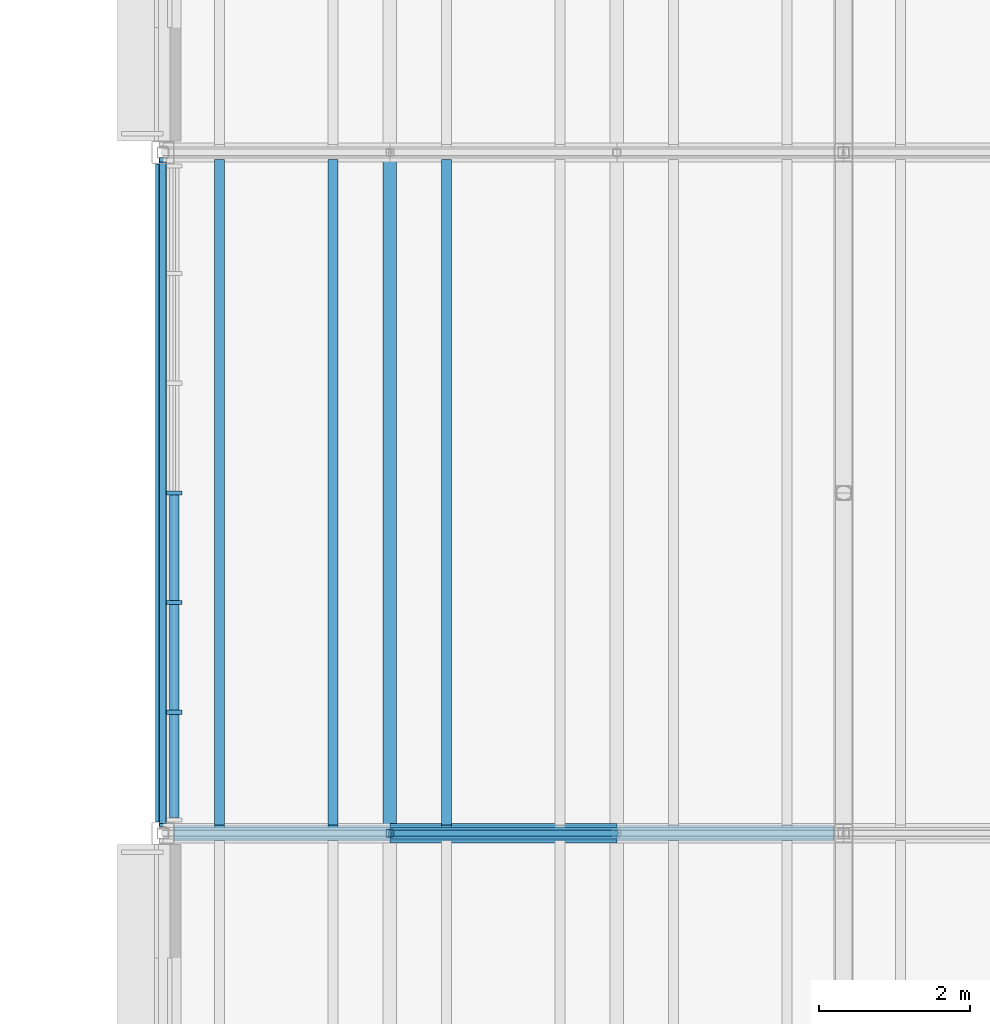
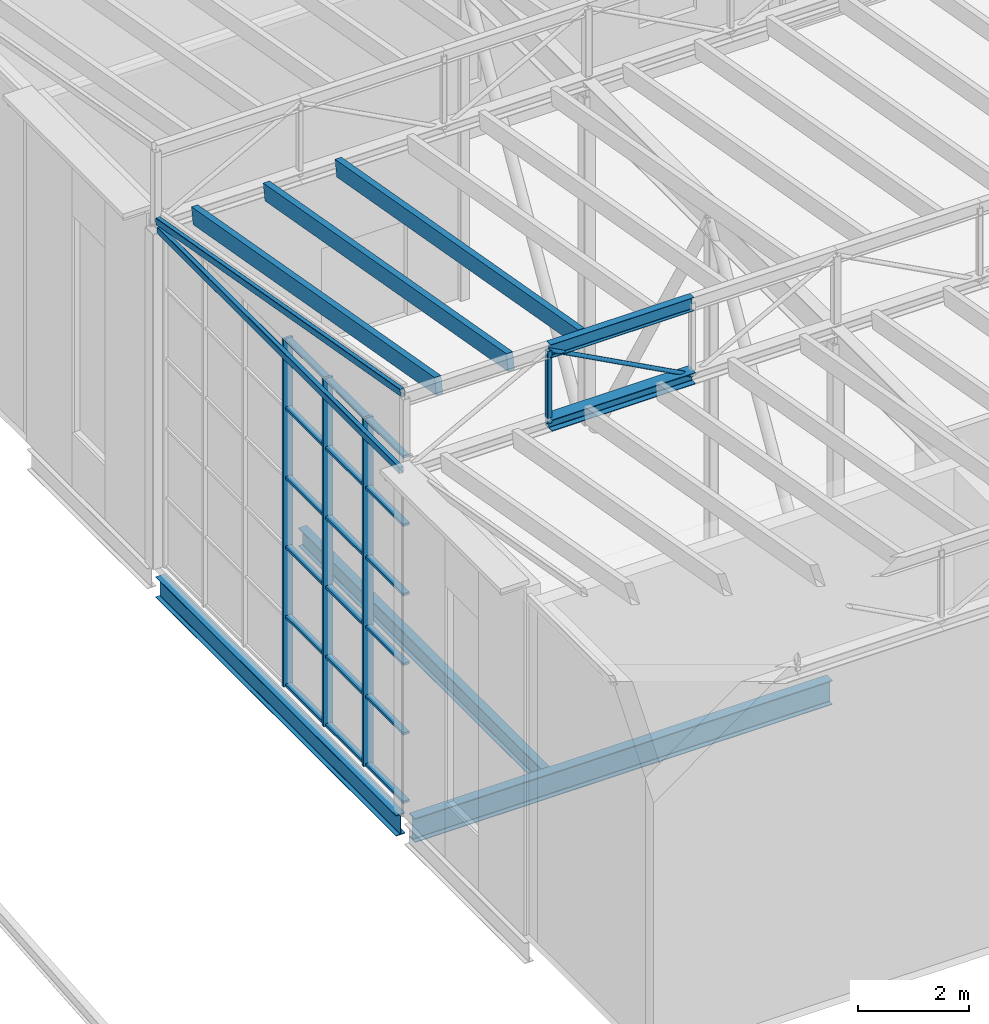
# One storey, part 10 of 90: 30 members, 3 beams, 1 element without a shape of its own.
"""IFC4 building model written with IfcOpenShell, lengths in metres."""

from ifc_helpers import new_model, si_unit, direction, frame, origin, origin_2d, place, context, subcontext, project, spatial, rectangle, hollow_rectangle, hollow_circle, i_section, extrude, material, layer, layer_set, material_profile, profile_set, type_object, element, aggregate, save


model = new_model("IFC4")

# Units and contexts
model_context = context("Model", 3, precision=1e-05, world=origin(), true_north=direction((0.0, 1.0)))
body_context = subcontext(model_context, "Body", "Model", "MODEL_VIEW")
ifc_project = project(units=[si_unit("LENGTHUNIT", "METRE"), si_unit("AREAUNIT", "SQUARE_METRE"), si_unit("VOLUMEUNIT", "CUBIC_METRE"), si_unit("PLANEANGLEUNIT", "RADIAN"), si_unit("MASSUNIT", "GRAM", prefix="KILO")], contexts=[model_context])

# Site, building, storey
site_placement = place(None, origin())
site = spatial("IfcSite", under=ifc_project, at=site_placement, CompositionType="ELEMENT")
building_placement = place(site_placement, origin())
building = spatial("IfcBuilding", under=site, at=building_placement, Name="Halyard Row Museum", CompositionType="ELEMENT")
storey_placement = place(building_placement, frame((0.0, 0.0, 13.39990234375)))
storey = spatial("IfcBuildingStorey", under=building, at=storey_placement, Name="L03", CompositionType="ELEMENT", Elevation=13.39990234375)

# Curtain wall, members
ifc_material_1 = material(Name="Double glazed unit, low-emissivity", Category="glass")
ifc_layer = layer(ifc_material_1, 0.199951171875)
ifc_layer_set = layer_set([ifc_layer], Name="Double glazed unit, low-emissivity")
curtain_wall_type = type_object("IfcCurtainWallType", Name="Curtain wall gable 200 deep", PredefinedType="NOTDEFINED", material=ifc_layer_set)
curtain_wall_placement = place(storey_placement, origin())
curtain_wall = element("IfcCurtainWall", 1, at=curtain_wall_placement, inside=storey, type_object=curtain_wall_type, Name="Curtain wall CW054", PredefinedType="NOTDEFINED")
ifc_material_2 = material(Name="Powder-coated aluminium section", Category="aluminium")
ifc_material_profile_1 = material_profile(ifc_material_2, rectangle(XDim=0.199951171875, YDim=0.054931640625, at=origin_2d()), Name="200x55 mullion")
ifc_profile_set_1 = profile_set([ifc_material_profile_1], Name="Powder-coated aluminium section")
member_type_1 = type_object("IfcMemberType", Name="Curtain wall mullion CM7 55 x 200", PredefinedType="MULLION", material=ifc_profile_set_1)
member_1_placement = place(storey_placement, frame((27.14990234375, 31.5, 0.0), z_axis=(0.0, 0.0, 1.0), x_axis=(1.0, 0.0, 0.0)))
member_1 = element("IfcMember", 2, at=member_1_placement, type_object=member_type_1, Name="CW054 mullion 4", PredefinedType="MULLION", context=body_context, shape_type="SweptSolid", body=[
    extrude(rectangle(XDim=0.199951171875, YDim=0.054931640625, at=origin_2d()), origin(), (0.0, 0.0, 1.0), 7.67822265625),
])
member_2_placement = place(storey_placement, frame((27.14990234375, 30.050048828125, 0.0), z_axis=(0.0, 0.0, 1.0), x_axis=(1.0, 0.0, 0.0)))
member_2 = element("IfcMember", 3, at=member_2_placement, type_object=member_type_1, Name="CW054 mullion 5", PredefinedType="MULLION", context=body_context, shape_type="SweptSolid", body=[
    extrude(rectangle(XDim=0.199951171875, YDim=0.054931640625, at=origin_2d()), origin(), (0.0, 0.0, 1.0), 7.67822265625),
])
member_3_placement = place(storey_placement, frame((27.14990234375, 28.60009765625, 0.0), z_axis=(0.0, 0.0, 1.0), x_axis=(1.0, 0.0, 0.0)))
member_3 = element("IfcMember", 4, at=member_3_placement, type_object=member_type_1, Name="CW054 mullion 6", PredefinedType="MULLION", context=body_context, shape_type="SweptSolid", body=[
    extrude(rectangle(XDim=0.199951171875, YDim=0.054931640625, at=origin_2d()), origin(), (0.0, 0.0, 1.0), 7.67822265625),
])
ifc_material_3 = material(Name="Powder-coated aluminium section", Category="aluminium")
ifc_material_profile_2 = material_profile(ifc_material_3, rectangle(XDim=0.1298828125, YDim=0.054931640625, at=origin_2d()), Name="130x55 transom")
ifc_profile_set_2 = profile_set([ifc_material_profile_2], Name="Powder-coated aluminium section")
member_type_2 = type_object("IfcMemberType", Name="Curtain wall transom CT7 55 x 130", PredefinedType="USERDEFINED", material=ifc_profile_set_2)
member_4_placement = place(storey_placement, frame((27.14990234375, 31.472412109375, 0.027587890625), z_axis=(0.0, -1.0, 0.0), x_axis=(1.0, 0.0, 0.0)))
member_4 = element("IfcMember", 5, at=member_4_placement, type_object=member_type_2, Name="CW054 transom 4.1", ObjectType="TRANSOM", PredefinedType="USERDEFINED", context=body_context, shape_type="SweptSolid", body=[
    extrude(rectangle(XDim=0.1298828125, YDim=0.054931640625, at=origin_2d()), origin(), (0.0, 0.0, 1.0), 1.39501953125),
])
member_5_placement = place(storey_placement, frame((27.14990234375, 31.472412109375, 1.53564453125), z_axis=(0.0, -1.0, 0.0), x_axis=(1.0, 0.0, 0.0)))
member_5 = element("IfcMember", 6, at=member_5_placement, type_object=member_type_2, Name="CW054 transom 4.2", ObjectType="TRANSOM", PredefinedType="USERDEFINED", context=body_context, shape_type="SweptSolid", body=[
    extrude(rectangle(XDim=0.1298828125, YDim=0.054931640625, at=origin_2d()), origin(), (0.0, 0.0, 1.0), 1.39501953125),
])
member_6_placement = place(storey_placement, frame((27.14990234375, 31.472412109375, 3.0712890625), z_axis=(0.0, -1.0, 0.0), x_axis=(1.0, 0.0, 0.0)))
member_6 = element("IfcMember", 7, at=member_6_placement, type_object=member_type_2, Name="CW054 transom 4.3", ObjectType="TRANSOM", PredefinedType="USERDEFINED", context=body_context, shape_type="SweptSolid", body=[
    extrude(rectangle(XDim=0.1298828125, YDim=0.054931640625, at=origin_2d()), origin(), (0.0, 0.0, 1.0), 1.39501953125),
])
member_7_placement = place(storey_placement, frame((27.14990234375, 31.472412109375, 4.60693359375), z_axis=(0.0, -1.0, 0.0), x_axis=(1.0, 0.0, 0.0)))
member_7 = element("IfcMember", 8, at=member_7_placement, type_object=member_type_2, Name="CW054 transom 4.4", ObjectType="TRANSOM", PredefinedType="USERDEFINED", context=body_context, shape_type="SweptSolid", body=[
    extrude(rectangle(XDim=0.1298828125, YDim=0.054931640625, at=origin_2d()), origin(), (0.0, 0.0, 1.0), 1.39501953125),
])
member_8_placement = place(storey_placement, frame((27.14990234375, 31.472412109375, 6.142578125), z_axis=(0.0, -1.0, 0.0), x_axis=(1.0, 0.0, 0.0)))
member_8 = element("IfcMember", 9, at=member_8_placement, type_object=member_type_2, Name="CW054 transom 4.5", ObjectType="TRANSOM", PredefinedType="USERDEFINED", context=body_context, shape_type="SweptSolid", body=[
    extrude(rectangle(XDim=0.1298828125, YDim=0.054931640625, at=origin_2d()), origin(), (0.0, 0.0, 1.0), 1.39501953125),
])
member_9_placement = place(storey_placement, frame((27.14990234375, 31.472412109375, 7.650634765625), z_axis=(0.0, -1.0, 0.0), x_axis=(1.0, 0.0, 0.0)))
member_9 = element("IfcMember", 10, at=member_9_placement, type_object=member_type_2, Name="CW054 transom 4.6", ObjectType="TRANSOM", PredefinedType="USERDEFINED", context=body_context, shape_type="SweptSolid", body=[
    extrude(rectangle(XDim=0.1298828125, YDim=0.054931640625, at=origin_2d()), origin(), (0.0, 0.0, 1.0), 1.39501953125),
])
member_10_placement = place(storey_placement, frame((27.14990234375, 30.0224609375, 0.027587890625), z_axis=(0.0, -1.0, 0.0), x_axis=(1.0, 0.0, 0.0)))
member_10 = element("IfcMember", 11, at=member_10_placement, type_object=member_type_2, Name="CW054 transom 5.1", ObjectType="TRANSOM", PredefinedType="USERDEFINED", context=body_context, shape_type="SweptSolid", body=[
    extrude(rectangle(XDim=0.1298828125, YDim=0.054931640625, at=origin_2d()), origin(), (0.0, 0.0, 1.0), 1.39501953125),
])
member_11_placement = place(storey_placement, frame((27.14990234375, 30.0224609375, 1.53564453125), z_axis=(0.0, -1.0, 0.0), x_axis=(1.0, 0.0, 0.0)))
member_11 = element("IfcMember", 12, at=member_11_placement, type_object=member_type_2, Name="CW054 transom 5.2", ObjectType="TRANSOM", PredefinedType="USERDEFINED", context=body_context, shape_type="SweptSolid", body=[
    extrude(rectangle(XDim=0.1298828125, YDim=0.054931640625, at=origin_2d()), origin(), (0.0, 0.0, 1.0), 1.39501953125),
])
member_12_placement = place(storey_placement, frame((27.14990234375, 30.0224609375, 3.0712890625), z_axis=(0.0, -1.0, 0.0), x_axis=(1.0, 0.0, 0.0)))
member_12 = element("IfcMember", 13, at=member_12_placement, type_object=member_type_2, Name="CW054 transom 5.3", ObjectType="TRANSOM", PredefinedType="USERDEFINED", context=body_context, shape_type="SweptSolid", body=[
    extrude(rectangle(XDim=0.1298828125, YDim=0.054931640625, at=origin_2d()), origin(), (0.0, 0.0, 1.0), 1.39501953125),
])
member_13_placement = place(storey_placement, frame((27.14990234375, 30.0224609375, 4.60693359375), z_axis=(0.0, -1.0, 0.0), x_axis=(1.0, 0.0, 0.0)))
member_13 = element("IfcMember", 14, at=member_13_placement, type_object=member_type_2, Name="CW054 transom 5.4", ObjectType="TRANSOM", PredefinedType="USERDEFINED", context=body_context, shape_type="SweptSolid", body=[
    extrude(rectangle(XDim=0.1298828125, YDim=0.054931640625, at=origin_2d()), origin(), (0.0, 0.0, 1.0), 1.39501953125),
])
member_14_placement = place(storey_placement, frame((27.14990234375, 30.0224609375, 6.142578125), z_axis=(0.0, -1.0, 0.0), x_axis=(1.0, 0.0, 0.0)))
member_14 = element("IfcMember", 15, at=member_14_placement, type_object=member_type_2, Name="CW054 transom 5.5", ObjectType="TRANSOM", PredefinedType="USERDEFINED", context=body_context, shape_type="SweptSolid", body=[
    extrude(rectangle(XDim=0.1298828125, YDim=0.054931640625, at=origin_2d()), origin(), (0.0, 0.0, 1.0), 1.39501953125),
])
member_15_placement = place(storey_placement, frame((27.14990234375, 30.0224609375, 7.650634765625), z_axis=(0.0, -1.0, 0.0), x_axis=(1.0, 0.0, 0.0)))
member_15 = element("IfcMember", 16, at=member_15_placement, type_object=member_type_2, Name="CW054 transom 5.6", ObjectType="TRANSOM", PredefinedType="USERDEFINED", context=body_context, shape_type="SweptSolid", body=[
    extrude(rectangle(XDim=0.1298828125, YDim=0.054931640625, at=origin_2d()), origin(), (0.0, 0.0, 1.0), 1.39501953125),
])
member_16_placement = place(storey_placement, frame((27.14990234375, 28.572509765625, 0.027587890625), z_axis=(0.0, -1.0, 0.0), x_axis=(1.0, 0.0, 0.0)))
member_16 = element("IfcMember", 17, at=member_16_placement, type_object=member_type_2, Name="CW054 transom 6.1", ObjectType="TRANSOM", PredefinedType="USERDEFINED", context=body_context, shape_type="SweptSolid", body=[
    extrude(rectangle(XDim=0.1298828125, YDim=0.054931640625, at=origin_2d()), origin(), (0.0, 0.0, 1.0), 1.367431640625),
])
member_17_placement = place(storey_placement, frame((27.14990234375, 28.572509765625, 1.53564453125), z_axis=(0.0, -1.0, 0.0), x_axis=(1.0, 0.0, 0.0)))
member_17 = element("IfcMember", 18, at=member_17_placement, type_object=member_type_2, Name="CW054 transom 6.2", ObjectType="TRANSOM", PredefinedType="USERDEFINED", context=body_context, shape_type="SweptSolid", body=[
    extrude(rectangle(XDim=0.1298828125, YDim=0.054931640625, at=origin_2d()), origin(), (0.0, 0.0, 1.0), 1.367431640625),
])
member_18_placement = place(storey_placement, frame((27.14990234375, 28.572509765625, 3.0712890625), z_axis=(0.0, -1.0, 0.0), x_axis=(1.0, 0.0, 0.0)))
member_18 = element("IfcMember", 19, at=member_18_placement, type_object=member_type_2, Name="CW054 transom 6.3", ObjectType="TRANSOM", PredefinedType="USERDEFINED", context=body_context, shape_type="SweptSolid", body=[
    extrude(rectangle(XDim=0.1298828125, YDim=0.054931640625, at=origin_2d()), origin(), (0.0, 0.0, 1.0), 1.367431640625),
])
member_19_placement = place(storey_placement, frame((27.14990234375, 28.572509765625, 4.60693359375), z_axis=(0.0, -1.0, 0.0), x_axis=(1.0, 0.0, 0.0)))
member_19 = element("IfcMember", 20, at=member_19_placement, type_object=member_type_2, Name="CW054 transom 6.4", ObjectType="TRANSOM", PredefinedType="USERDEFINED", context=body_context, shape_type="SweptSolid", body=[
    extrude(rectangle(XDim=0.1298828125, YDim=0.054931640625, at=origin_2d()), origin(), (0.0, 0.0, 1.0), 1.367431640625),
])
member_20_placement = place(storey_placement, frame((27.14990234375, 28.572509765625, 6.142578125), z_axis=(0.0, -1.0, 0.0), x_axis=(1.0, 0.0, 0.0)))
member_20 = element("IfcMember", 21, at=member_20_placement, type_object=member_type_2, Name="CW054 transom 6.5", ObjectType="TRANSOM", PredefinedType="USERDEFINED", context=body_context, shape_type="SweptSolid", body=[
    extrude(rectangle(XDim=0.1298828125, YDim=0.054931640625, at=origin_2d()), origin(), (0.0, 0.0, 1.0), 1.367431640625),
])
member_21_placement = place(storey_placement, frame((27.14990234375, 28.572509765625, 7.650634765625), z_axis=(0.0, -1.0, 0.0), x_axis=(1.0, 0.0, 0.0)))
member_21 = element("IfcMember", 22, at=member_21_placement, type_object=member_type_2, Name="CW054 transom 6.6", ObjectType="TRANSOM", PredefinedType="USERDEFINED", context=body_context, shape_type="SweptSolid", body=[
    extrude(rectangle(XDim=0.1298828125, YDim=0.054931640625, at=origin_2d()), origin(), (0.0, 0.0, 1.0), 1.367431640625),
])
aggregate(curtain_wall, [member_1, member_2, member_3, member_4, member_5, member_6, member_7, member_8, member_9, member_10, member_11, member_12, member_13, member_14, member_15, member_16, member_17, member_18, member_19, member_20, member_21])

# Beam
ifc_material_4 = material(Name="Steel Grade 300", Category="steel")
ifc_material_profile_3 = material_profile(ifc_material_4, i_section(OverallWidth=0.18994140625, OverallDepth=0.45751953125, WebThickness=0.009033203125, FlangeThickness=0.014404296875, FilletRadius=0.011474609375, at=origin_2d()), Name="460UB74.6")
ifc_profile_set_3 = profile_set([ifc_material_profile_3], Name="Steel Grade 300")
beam_type_1 = type_object("IfcBeamType", Name="Edge beam 460UB74.6", PredefinedType="BEAM", material=ifc_profile_set_3)
beam_1_placement = place(storey_placement, frame((27.0, 27.14990234375, -0.3935546875), z_axis=(0.0, 1.0, 0.0), x_axis=(-1.0, 0.0, 0.0)))
element("IfcBeam", 23, at=beam_1_placement, inside=storey, type_object=beam_type_1, Name="Beam L03-044", PredefinedType="BEAM", context=body_context, shape_type="SweptSolid", body=[
    extrude(i_section(OverallWidth=0.18994140625, OverallDepth=0.45751953125, WebThickness=0.009033203125, FlangeThickness=0.014404296875, FilletRadius=0.011474609375, at=origin_2d()), origin(), (0.0, 0.0, 1.0), 8.7001953125),
])

# Members
ifc_material_5 = material(Name="Steel Grade C350L0", Category="steel")
ifc_material_profile_4 = material_profile(ifc_material_5, hollow_rectangle(XDim=0.10009765625, YDim=0.14990234375, WallThickness=0.006103515625, InnerFilletRadius=0.009033203125, OuterFilletRadius=0.014892578125, at=origin_2d()), Name="150x100x6.0RHS")
ifc_profile_set_4 = profile_set([ifc_material_profile_4], Name="Steel Grade C350L0")
member_type_3 = type_object("IfcMemberType", Name="Gable end chord 150x100x6.0RHS", PredefinedType="CHORD", material=ifc_profile_set_4)
member_22_placement = place(storey_placement, frame((27.0, 27.126953125, 7.44775390625), z_axis=(0.0, 1.0, 0.0), x_axis=(-1.0, 0.0, 0.0)))
element("IfcMember", 24, at=member_22_placement, inside=storey, type_object=member_type_3, Name="V1-GW2 eave chord", PredefinedType="CHORD", context=body_context, shape_type="SweptSolid", body=[
    extrude(hollow_rectangle(XDim=0.10009765625, YDim=0.14990234375, WallThickness=0.006103515625, InnerFilletRadius=0.009033203125, OuterFilletRadius=0.014892578125, at=origin_2d()), origin(), (0.0, 0.0, 1.0), 8.74609375),
])
ifc_material_6 = material(Name="Steel Grade C350L0", Category="steel")
ifc_material_profile_5 = material_profile(ifc_material_6, hollow_rectangle(XDim=0.10009765625, YDim=0.14990234375, WallThickness=0.006103515625, InnerFilletRadius=0.009033203125, OuterFilletRadius=0.014892578125, at=origin_2d()), Name="150x100x6.0RHS")
ifc_profile_set_5 = profile_set([ifc_material_profile_5], Name="Steel Grade C350L0")
member_type_4 = type_object("IfcMemberType", Name="Gable end rafter 150x100x6.0RHS", PredefinedType="RAFTER", material=ifc_profile_set_5)
member_23_placement = place(storey_placement, frame((27.0, 27.074951171875, 9.190673828125), z_axis=(0.0, 0.984559907364, -0.175047961461), x_axis=(-1.0, 0.0, 0.0)))
element("IfcMember", 25, at=member_23_placement, inside=storey, type_object=member_type_4, Name="V1-GW2 raking rafter", PredefinedType="RAFTER", context=body_context, shape_type="SweptSolid", body=[
    extrude(hollow_rectangle(XDim=0.10009765625, YDim=0.14990234375, WallThickness=0.006103515625, InnerFilletRadius=0.009033203125, OuterFilletRadius=0.014892578125, at=origin_2d()), origin(), (0.0, 0.0, 1.0), 8.98876953125),
])

# Beam
ifc_material_7 = material(Name="Steel Grade 300", Category="steel")
ifc_material_profile_6 = material_profile(ifc_material_7, i_section(OverallWidth=0.208984375, OverallDepth=0.532958984375, WebThickness=0.01025390625, FlangeThickness=0.015625, FilletRadius=0.013916015625, at=origin_2d()), Name="530UB92.4")
ifc_profile_set_6 = profile_set([ifc_material_profile_6], Name="Steel Grade 300")
beam_type_2 = type_object("IfcBeamType", Name="Girder beam 530UB92.4", PredefinedType="BEAM", material=ifc_profile_set_6)
beam_2_placement = place(storey_placement, frame((27.14990234375, 27.0, -0.431396484375), z_axis=(1.0, 0.0, 0.0), x_axis=(0.0, 1.0, 0.0)))
element("IfcBeam", 26, at=beam_2_placement, inside=storey, type_object=beam_type_2, Name="Beam L03-018", PredefinedType="BEAM", context=body_context, shape_type="SweptSolid", body=[
    extrude(i_section(OverallWidth=0.208984375, OverallDepth=0.532958984375, WebThickness=0.01025390625, FlangeThickness=0.015625, FilletRadius=0.013916015625, at=origin_2d()), origin(), (0.0, 0.0, 1.0), 8.72509765625),
])

# Members
ifc_material_8 = material(Name="Glulam GL12 radiata pine", Category="wood")
ifc_material_profile_7 = material_profile(ifc_material_8, rectangle(XDim=0.135009765625, YDim=0.360107421875, at=origin_2d()), Name="GL12 135x360")
ifc_profile_set_7 = profile_set([ifc_material_profile_7], Name="Glulam GL12 radiata pine")
member_type_5 = type_object("IfcMemberType", Name="Rafter GL12 135x360", PredefinedType="RAFTER", material=ifc_profile_set_7)
for number, where, z_axis, x_axis, name in (
    (27, (27.75, 27.074462890625, 9.083984375), (0.0, 0.984562193919, -0.175035100209), (-1.0, 0.0, 0.0), "Rafter V1-T2a.1"),
    (28, (29.25, 27.074462890625, 9.083984375), (0.0, 0.984562193919, -0.175035100209), (-1.0, 0.0, 0.0), "Rafter V1-T2a.2"),
    (29, (30.75, 27.074462890625, 9.083984375), (0.0, 0.984562193919, -0.175035100209), (-1.0, 0.0, 0.0), "Rafter V1-T2a.3"),
):
    element("IfcMember", number, at=place(storey_placement, frame(where, z_axis=z_axis, x_axis=x_axis)), inside=storey, type_object=member_type_5, Name=name, PredefinedType="RAFTER", context=body_context, shape_type="SweptSolid", body=[
        extrude(rectangle(XDim=0.135009765625, YDim=0.360107421875, at=origin_2d()), origin(), (0.0, 0.0, 1.0), 8.9365234375),
    ])

# Beam
ifc_material_9 = material(Name="Steel Grade 300", Category="steel")
ifc_material_profile_8 = material_profile(ifc_material_9, i_section(OverallWidth=0.177978515625, OverallDepth=0.406494140625, WebThickness=0.0078125, FlangeThickness=0.0126953125, FilletRadius=0.011474609375, at=origin_2d()), Name="410UB59.7")
ifc_profile_set_8 = profile_set([ifc_material_profile_8], Name="Steel Grade 300")
beam_type_3 = type_object("IfcBeamType", Name="Secondary beam 410UB59.7", PredefinedType="BEAM", material=ifc_profile_set_8)
beam_3_placement = place(storey_placement, frame((30.0, 27.1044921875, -0.3681640625), z_axis=(0.0, 1.0, 0.0), x_axis=(-1.0, 0.0, 0.0)))
element("IfcBeam", 30, at=beam_3_placement, inside=storey, type_object=beam_type_3, Name="Beam L03-099", PredefinedType="BEAM", context=body_context, shape_type="SweptSolid", body=[
    extrude(i_section(OverallWidth=0.177978515625, OverallDepth=0.406494140625, WebThickness=0.0078125, FlangeThickness=0.0126953125, FilletRadius=0.011474609375, at=origin_2d()), origin(), (0.0, 0.0, 1.0), 8.791015625),
])

# Members
ifc_material_10 = material(Name="Steel Grade 300", Category="steel")
ifc_material_profile_9 = material_profile(ifc_material_10, i_section(OverallWidth=0.25390625, OverallDepth=0.25390625, WebThickness=0.008544921875, FlangeThickness=0.01416015625, FilletRadius=0.013916015625, at=origin_2d()), Name="250UC72.9")
ifc_profile_set_9 = profile_set([ifc_material_profile_9], Name="Steel Grade 300")
member_type_6 = type_object("IfcMemberType", Name="Valley truss bottom chord 250UC72.9", PredefinedType="CHORD", material=ifc_profile_set_9)
member_24_placement = place(storey_placement, frame((30.0, 27.0, 7.527099609375), z_axis=(1.0, 0.0, 0.0), x_axis=(0.0, 1.0, 0.0)))
element("IfcMember", 31, at=member_24_placement, inside=storey, type_object=member_type_6, Name="V1-VT2 bottom chord 1.2", PredefinedType="CHORD", context=body_context, shape_type="SweptSolid", body=[
    extrude(i_section(OverallWidth=0.25390625, OverallDepth=0.25390625, WebThickness=0.008544921875, FlangeThickness=0.01416015625, FilletRadius=0.013916015625, at=origin_2d()), origin(), (0.0, 0.0, 1.0), 3.0),
])
ifc_material_11 = material(Name="Steel Grade C250L0", Category="steel")
ifc_material_profile_10 = material_profile(ifc_material_11, hollow_circle(Radius=0.04443359375, WallThickness=0.0048828125, at=origin_2d()), Name="88.9x5.0CHS")
ifc_profile_set_10 = profile_set([ifc_material_profile_10], Name="Steel Grade C250L0")
member_type_7 = type_object("IfcMemberType", Name="Valley truss diagonal 88.9x5.0CHS", PredefinedType="BRACE", material=ifc_profile_set_10)
member_25_placement = place(storey_placement, frame((30.0, 27.0, 9.131103515625), z_axis=(0.881863759518, 0.0, -0.471504305016), x_axis=(0.0, 1.0, 0.0)))
element("IfcMember", 32, at=member_25_placement, inside=storey, type_object=member_type_7, Name="V1-VT2 diagonal 1.2", PredefinedType="BRACE", context=body_context, shape_type="SweptSolid", body=[
    extrude(hollow_circle(Radius=0.04443359375, WallThickness=0.0048828125, at=origin_2d()), origin(), (0.0, 0.0, 1.0), 3.40185546875),
])
ifc_material_12 = material(Name="Steel Grade C350L0", Category="steel")
ifc_material_profile_11 = material_profile(ifc_material_12, hollow_rectangle(XDim=0.10009765625, YDim=0.10009765625, WallThickness=0.006103515625, InnerFilletRadius=0.009033203125, OuterFilletRadius=0.014892578125, at=origin_2d()), Name="100x100x6.0SHS")
ifc_profile_set_11 = profile_set([ifc_material_profile_11], Name="Steel Grade C350L0")
member_type_8 = type_object("IfcMemberType", Name="Valley truss post 100x100x6.0SHS", PredefinedType="POST", material=ifc_profile_set_11)
member_26_placement = place(storey_placement, frame((30.0, 27.0, 7.527099609375), z_axis=(0.0, 0.0, 1.0), x_axis=(1.0, 0.0, 0.0)))
element("IfcMember", 33, at=member_26_placement, inside=storey, type_object=member_type_8, Name="V1-VT2 post 1.1", PredefinedType="POST", context=body_context, shape_type="SweptSolid", body=[
    extrude(hollow_rectangle(XDim=0.10009765625, YDim=0.10009765625, WallThickness=0.006103515625, InnerFilletRadius=0.009033203125, OuterFilletRadius=0.014892578125, at=origin_2d()), origin(), (0.0, 0.0, 1.0), 1.60400390625),
])
ifc_material_13 = material(Name="Steel Grade 300", Category="steel")
ifc_material_profile_12 = material_profile(ifc_material_13, i_section(OverallWidth=0.14892578125, OverallDepth=0.298095703125, WebThickness=0.005615234375, FlangeThickness=0.008056640625, FilletRadius=0.012939453125, at=origin_2d()), Name="310UB32.0")
ifc_profile_set_12 = profile_set([ifc_material_profile_12], Name="Steel Grade 300")
member_type_9 = type_object("IfcMemberType", Name="Valley truss top chord 310UB32.0", PredefinedType="CHORD", material=ifc_profile_set_12)
member_27_placement = place(storey_placement, frame((30.0, 27.0, 9.131103515625), z_axis=(1.0, 0.0, 0.0), x_axis=(0.0, 1.0, 0.0)))
element("IfcMember", 34, at=member_27_placement, inside=storey, type_object=member_type_9, Name="V1-VT2 top chord 1.2", PredefinedType="CHORD", context=body_context, shape_type="SweptSolid", body=[
    extrude(i_section(OverallWidth=0.14892578125, OverallDepth=0.298095703125, WebThickness=0.005615234375, FlangeThickness=0.008056640625, FilletRadius=0.012939453125, at=origin_2d()), origin(), (0.0, 0.0, 1.0), 3.0),
])

save(model, "model.ifc")
